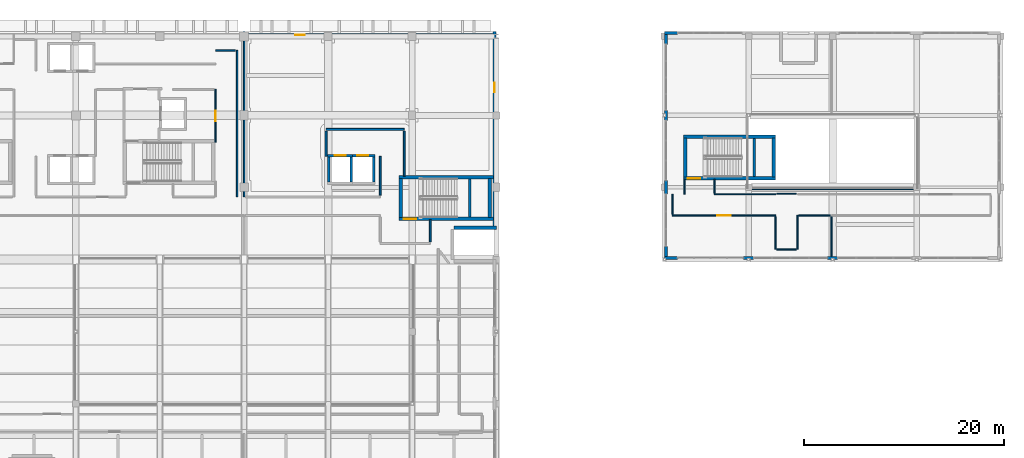
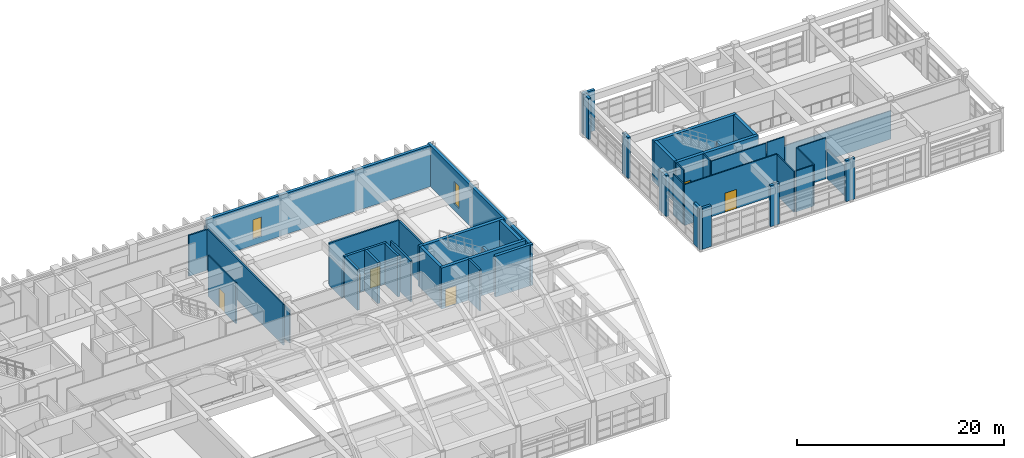
# One storey, part 91 of 103: 47 walls, 6 doors, 2 windows, 8 openings.
"""IFC4 building model written with IfcOpenShell, lengths in metres."""

from ifc_helpers import new_model, si_unit, direction, frame, frame_2d, origin, place, context, subcontext, project, spatial, rectangle, extrude, material, layer, layer_set, type_object, element, fill, save


model = new_model("IFC4")

# Units and contexts
model_context = context("Model", 3, precision=1e-05, world=origin(), true_north=direction((0.0, 1.0)))
body_context = subcontext(model_context, "Body", "Model", "MODEL_VIEW")
ifc_project = project(units=[si_unit("LENGTHUNIT", "METRE"), si_unit("AREAUNIT", "SQUARE_METRE"), si_unit("VOLUMEUNIT", "CUBIC_METRE"), si_unit("PLANEANGLEUNIT", "RADIAN"), si_unit("MASSUNIT", "GRAM", prefix="KILO")], contexts=[model_context])

# Site, building, storey
site_placement = place(None, origin())
site = spatial("IfcSite", under=ifc_project, at=site_placement, CompositionType="ELEMENT")
building_placement = place(site_placement, origin())
building = spatial("IfcBuilding", under=site, at=building_placement, Name="Quendrovan Civic Courthouse", CompositionType="ELEMENT")
storey_placement = place(building_placement, frame((0.0, 0.0, 15.300048828125)))
storey = spatial("IfcBuildingStorey", under=building, at=storey_placement, Name="L04", CompositionType="ELEMENT", Elevation=15.300048828125)

# Wall, opening, door
ifc_material_1 = material(Name="Acoustic gypsum stud partition")
ifc_layer_1 = layer(ifc_material_1, 0.139892578125, Name="Acoustic gypsum stud partition")
ifc_layer_set_1 = layer_set([ifc_layer_1], Name="Acoustic gypsum stud partition")
wall_type_1 = type_object("IfcWallType", Name="WL-CHM-140", PredefinedType="PARTITIONING", material=ifc_layer_set_1)
wall_1_placement = place(storey_placement, frame((64.35009765625, 104.60009765625, 0.0), z_axis=(0.0, 0.0, 1.0), x_axis=(0.0, -1.0, 0.0)))
wall_1 = element("IfcWall", 1, at=wall_1_placement, inside=storey, type_object=wall_type_1, Name="L04 Senior Judges' Chambers Suite Partition 0573", PredefinedType="PARTITIONING", context=body_context, shape_type="SweptSolid", body=[
    extrude(rectangle(XDim=5.300048828125, YDim=0.139892578125, at=frame_2d((2.64990234375, 0.0))), origin(), (0.0, 0.0, 1.0), 4.820068359375),
])
opening_1_placement = place(wall_1_placement, frame((2.1298828125, 0.0, 0.0)))
opening_1 = element("IfcOpeningElement", 2, at=opening_1_placement, cuts=wall_1, Name="Opening D-L04-087", PredefinedType="OPENING", context=body_context, shape_type="SweptSolid", body=[
    extrude(rectangle(XDim=1.0400390625, YDim=2.260009765625, at=frame_2d((0.52001953125, 1.1298828125))), frame((0.0, 0.080078125, 0.0), z_axis=(0.0, -1.0, 0.0), x_axis=(1.0, 0.0, 0.0)), (0.0, 0.0, 1.0), 0.159912109375),
])
ifc_material_2 = material(Name="Solid Western Red Cedar timber door", Category="wood")
door_type_1 = type_object("IfcDoorType", Name="DR-CHM-1040", OperationType="NOTDEFINED", PredefinedType="DOOR", material=ifc_material_2)
door_1_placement = place(opening_1_placement, origin())
door_1 = element("IfcDoor", 3, at=door_1_placement, inside=storey, type_object=door_type_1, Name="L04 Senior Judges' Chambers Suite Door D-L04-087", OperationType="SINGLE_SWING_RIGHT", OverallHeight=2.260009765625, OverallWidth=1.0400390625, PredefinedType="DOOR", context=body_context, shape_type="SweptSolid", body=[
    extrude(rectangle(XDim=1.0400390625, YDim=2.260009765625, at=frame_2d((0.52001953125, 1.1298828125))), frame((0.0, 0.02490234375, 0.0), z_axis=(0.0, -1.0, 0.0), x_axis=(1.0, 0.0, 0.0)), (0.0, 0.0, 1.0), 0.050048828125),
])
fill(opening_1, door_1)

ifc_material_3 = material(Name="Concrete C45/55", Category="concrete")
ifc_layer_2 = layer(ifc_material_3, 0.35009765625, Name="Concrete C45/55")
ifc_layer_set_2 = layer_set([ifc_layer_2], Name="Concrete C45/55")
wall_type_2 = type_object("IfcWallType", Name="WL-CORE-350", PredefinedType="SHEAR", material=ifc_layer_set_2)
wall_2_placement = place(storey_placement, frame((82.68994140625, 91.6650390625, 0.0), z_axis=(0.0, 0.0, 1.0), x_axis=(1.0, 0.0, 0.0)))
wall_2 = element("IfcWall", 4, at=wall_2_placement, inside=storey, type_object=wall_type_2, Name="L04 Core Shear Wall ST3-S", PredefinedType="SHEAR", context=body_context, shape_type="SweptSolid", body=[
    extrude(rectangle(XDim=9.41015625, YDim=0.35009765625, at=frame_2d((4.705078125, 0.0))), origin(), (0.0, 0.0, 1.0), 4.820068359375),
])
opening_2_placement = place(wall_2_placement, frame((0.449951171875, 0.0, 0.0)))
opening_2 = element("IfcOpeningElement", 5, at=opening_2_placement, cuts=wall_2, Name="Opening DS-ST3-L04", PredefinedType="OPENING", context=body_context, shape_type="SweptSolid", body=[
    extrude(rectangle(XDim=1.25, YDim=2.199951171875, at=frame_2d((0.625, 1.10009765625))), frame((0.0, 0.18505859375, 0.0), z_axis=(0.0, -1.0, 0.0), x_axis=(1.0, 0.0, 0.0)), (0.0, 0.0, 1.0), 0.3701171875),
])
ifc_material_4 = material(Name="Painted galvanized hollow-metal steel", Category="steel")
door_type_2 = type_object("IfcDoorType", Name="DR-STAIR-1250", OperationType="NOTDEFINED", PredefinedType="DOOR", material=ifc_material_4)
door_2_placement = place(opening_2_placement, origin())
door_2 = element("IfcDoor", 6, at=door_2_placement, inside=storey, type_object=door_type_2, Name="L04 Exit Stair ST3 Fire Door", OperationType="SINGLE_SWING_RIGHT", OverallHeight=2.199951171875, OverallWidth=1.25, PredefinedType="DOOR", context=body_context, shape_type="SweptSolid", body=[
    extrude(rectangle(XDim=1.25, YDim=2.199951171875, at=frame_2d((0.625, 1.10009765625))), frame((0.0, 0.02490234375, 0.0), z_axis=(0.0, -1.0, 0.0), x_axis=(1.0, 0.0, 0.0)), (0.0, 0.0, 1.0), 0.050048828125),
])
fill(opening_2, door_2)

# Walls
wall_3_placement = place(storey_placement, frame((92.10009765625, 95.8349609375, 0.0), z_axis=(0.0, 0.0, 1.0), x_axis=(-1.0, 0.0, 0.0)))
element("IfcWall", 7, at=wall_3_placement, inside=storey, type_object=wall_type_2, Name="L04 Core Shear Wall ST3-N", PredefinedType="SHEAR", context=body_context, shape_type="SweptSolid", body=[
    extrude(rectangle(XDim=9.41015625, YDim=0.35009765625, at=frame_2d((4.705078125, 0.0))), origin(), (0.0, 0.0, 1.0), 4.820068359375),
])
for number, where, z_axis, x_axis, name in (
    (8, (82.864990234375, 91.800048828125, 0.0), (0.0, 0.0, 1.0), (0.0, 1.0, 0.0), "L04 Core Shear Wall ST3-W"),
    (9, (91.735107421875, 95.699951171875, 0.0), (0.0, 0.0, 1.0), (0.0, -1.0, 0.0), "L04 Core Shear Wall ST3-E"),
):
    element("IfcWall", number, at=place(storey_placement, frame(where, z_axis=z_axis, x_axis=x_axis)), inside=storey, type_object=wall_type_2, Name=name, PredefinedType="SHEAR", context=body_context, shape_type="SweptSolid", body=[
        extrude(rectangle(XDim=3.89990234375, YDim=0.35009765625, at=frame_2d((1.949951171875, 0.0))), origin(), (0.0, 0.0, 1.0), 4.820068359375),
    ])

# Wall, opening, door
wall_4_placement = place(storey_placement, frame((111.090087890625, 95.715087890625, 0.0), z_axis=(0.0, 0.0, 1.0), x_axis=(1.0, 0.0, 0.0)))
wall_4 = element("IfcWall", 10, at=wall_4_placement, inside=storey, type_object=wall_type_2, Name="L04 Core Shear Wall ST6-S", PredefinedType="SHEAR", context=body_context, shape_type="SweptSolid", body=[
    extrude(rectangle(XDim=9.219970703125, YDim=0.35009765625, at=frame_2d((4.60986328125, 0.0))), origin(), (0.0, 0.0, 1.0), 4.820068359375),
])
opening_3_placement = place(wall_4_placement, frame((0.449951171875, 0.0, 0.0)))
opening_3 = element("IfcOpeningElement", 11, at=opening_3_placement, cuts=wall_4, Name="Opening DS-ST6-L04", PredefinedType="OPENING", context=body_context, shape_type="SweptSolid", body=[
    extrude(rectangle(XDim=1.25, YDim=2.199951171875, at=frame_2d((0.625, 1.10009765625))), frame((0.0, 0.18505859375, 0.0), z_axis=(0.0, -1.0, 0.0), x_axis=(1.0, 0.0, 0.0)), (0.0, 0.0, 1.0), 0.3701171875),
])
door_3_placement = place(opening_3_placement, origin())
door_3 = element("IfcDoor", 12, at=door_3_placement, inside=storey, type_object=door_type_2, Name="L04 Exit Stair ST6 Fire Door", OperationType="SINGLE_SWING_RIGHT", OverallHeight=2.199951171875, OverallWidth=1.25, PredefinedType="DOOR", context=body_context, shape_type="SweptSolid", body=[
    extrude(rectangle(XDim=1.25, YDim=2.199951171875, at=frame_2d((0.625, 1.10009765625))), frame((0.0, 0.02490234375, 0.0), z_axis=(0.0, -1.0, 0.0), x_axis=(1.0, 0.0, 0.0)), (0.0, 0.0, 1.0), 0.050048828125),
])
fill(opening_3, door_3)

# Walls
wall_5_placement = place(storey_placement, frame((120.31005859375, 99.885009765625, 0.0), z_axis=(0.0, 0.0, 1.0), x_axis=(-1.0, 0.0, 0.0)))
element("IfcWall", 13, at=wall_5_placement, inside=storey, type_object=wall_type_2, Name="L04 Core Shear Wall ST6-N", PredefinedType="SHEAR", context=body_context, shape_type="SweptSolid", body=[
    extrude(rectangle(XDim=9.219970703125, YDim=0.35009765625, at=frame_2d((4.60986328125, 0.0))), origin(), (0.0, 0.0, 1.0), 4.820068359375),
])
for number, where, z_axis, x_axis, name in (
    (14, (111.264892578125, 95.85009765625, 0.0), (0.0, 0.0, 1.0), (0.0, 1.0, 0.0), "L04 Core Shear Wall ST6-W"),
    (15, (120.135009765625, 99.75, 0.0), (0.0, 0.0, 1.0), (0.0, -1.0, 0.0), "L04 Core Shear Wall ST6-E"),
):
    element("IfcWall", number, at=place(storey_placement, frame(where, z_axis=z_axis, x_axis=x_axis)), inside=storey, type_object=wall_type_2, Name=name, PredefinedType="SHEAR", context=body_context, shape_type="SweptSolid", body=[
        extrude(rectangle(XDim=3.89990234375, YDim=0.35009765625, at=frame_2d((1.949951171875, 0.0))), origin(), (0.0, 0.0, 1.0), 4.820068359375),
    ])
ifc_material_5 = material(Name="Acoustic gypsum and mineral wool partition")
ifc_layer_3 = layer(ifc_material_5, 0.179931640625, Name="Acoustic gypsum and mineral wool partition")
ifc_layer_set_3 = layer_set([ifc_layer_3], Name="Acoustic gypsum and mineral wool partition")
wall_type_3 = type_object("IfcWallType", Name="WL-CRT-AC180", PredefinedType="PARTITIONING", material=ifc_layer_set_3)
wall_6_placement = place(storey_placement, frame((83.199951171875, 100.60009765625, 0.0), z_axis=(0.0, 0.0, 1.0), x_axis=(-1.0, 0.0, 0.0)))
element("IfcWall", 16, at=wall_6_placement, inside=storey, type_object=wall_type_3, Name="L04 Trial Courtroom Partition 0582", PredefinedType="PARTITIONING", context=body_context, shape_type="SweptSolid", body=[
    extrude(rectangle(XDim=7.800048828125, YDim=0.179931640625, at=frame_2d((3.89990234375, 0.0))), origin(), (0.0, 0.0, 1.0), 4.820068359375),
])
wall_7_placement = place(storey_placement, frame((83.199951171875, 95.919921875, 0.0), z_axis=(0.0, 0.0, 1.0), x_axis=(0.0, 1.0, 0.0)))
element("IfcWall", 17, at=wall_7_placement, inside=storey, type_object=wall_type_3, Name="L04 Trial Courtroom Partition 0599", PredefinedType="PARTITIONING", context=body_context, shape_type="SweptSolid", body=[
    extrude(rectangle(XDim=4.510009765625, YDim=0.179931640625, at=frame_2d((2.2548828125, 0.0))), origin(), (0.0, 0.0, 1.0), 4.820068359375),
])
wall_8_placement = place(storey_placement, frame((80.800048828125, 97.89990234375, 0.0), z_axis=(0.0, 0.0, 1.0), x_axis=(0.0, -1.0, 0.0)))
element("IfcWall", 18, at=wall_8_placement, inside=storey, type_object=wall_type_3, Name="L04 Trial Courtroom Partition 0608", PredefinedType="PARTITIONING", context=body_context, shape_type="SweptSolid", body=[
    extrude(rectangle(XDim=3.8798828125, YDim=0.179931640625, at=frame_2d((1.93994140625, 0.0))), origin(), (0.0, 0.0, 1.0), 4.820068359375),
])
wall_9_placement = place(storey_placement, frame((75.39990234375, 100.429931640625, 0.0), z_axis=(0.0, 0.0, 1.0), x_axis=(0.0, -1.0, 0.0)))
element("IfcWall", 19, at=wall_9_placement, inside=storey, type_object=wall_type_3, Name="L04 Trial Courtroom Partition 0630", PredefinedType="PARTITIONING", context=body_context, shape_type="SweptSolid", body=[
    extrude(rectangle(XDim=2.530029296875, YDim=0.179931640625, at=frame_2d((1.26513671875, 0.0))), origin(), (0.0, 0.0, 1.0), 3.449951171875),
])
wall_10_placement = place(storey_placement, frame((85.800048828125, 89.3701171875, 0.0), z_axis=(0.0, 0.0, 1.0), x_axis=(0.0, 1.0, 0.0)))
element("IfcWall", 20, at=wall_10_placement, inside=storey, type_object=wall_type_3, Name="L04 Trial Courtroom Partition 0633", PredefinedType="PARTITIONING", context=body_context, shape_type="SweptSolid", body=[
    extrude(rectangle(XDim=2.2099609375, YDim=0.179931640625, at=frame_2d((1.10498046875, 0.0))), origin(), (0.0, 0.0, 1.0), 4.820068359375),
])
ifc_material_6 = material(Name="Precast concrete C45/55", Category="concrete")
ifc_layer_4 = layer(ifc_material_6, 0.2900390625, Name="Precast concrete C45/55")
ifc_layer_set_4 = layer_set([ifc_layer_4], Name="Precast concrete C45/55")
wall_type_4 = type_object("IfcWallType", Name="WL-EXT-PC290", PredefinedType="SOLIDWALL", material=ifc_layer_set_4)
wall_11_placement = place(storey_placement, frame((109.199951171875, 110.235107421875, 0.0), z_axis=(0.0, 0.0, 1.0), x_axis=(1.0, 0.0, 0.0)))
element("IfcWall", 21, at=wall_11_placement, inside=storey, type_object=wall_type_4, Name="L04 Exterior Pier Wall 390", PredefinedType="SOLIDWALL", context=body_context, shape_type="SweptSolid", body=[
    extrude(rectangle(XDim=1.300048828125, YDim=0.2900390625, at=frame_2d((0.64990234375, 0.0))), origin(), (0.0, 0.0, 1.0), 4.820068359375),
])
for number, where, z_axis, x_axis, name in (
    (22, (126.5, 87.764892578125, 0.0), (0.0, 0.0, 1.0), (-1.0, 0.0, 0.0), "L04 Exterior Pier Wall 404"),
    (23, (118.10009765625, 87.764892578125, 0.0), (0.0, 0.0, 1.0), (-1.0, 0.0, 0.0), "L04 Exterior Pier Wall 405"),
):
    element("IfcWall", number, at=place(storey_placement, frame(where, z_axis=z_axis, x_axis=x_axis)), inside=storey, type_object=wall_type_4, Name=name, PredefinedType="SOLIDWALL", context=body_context, shape_type="SweptSolid", body=[
        extrude(rectangle(XDim=1.0, YDim=0.2900390625, at=frame_2d((0.5, 0.0))), origin(), (0.0, 0.0, 1.0), 4.820068359375),
    ])
wall_12_placement = place(storey_placement, frame((110.5, 87.764892578125, 0.0), z_axis=(0.0, 0.0, 1.0), x_axis=(-1.0, 0.0, 0.0)))
element("IfcWall", 24, at=wall_12_placement, inside=storey, type_object=wall_type_4, Name="L04 Exterior Pier Wall 406", PredefinedType="SOLIDWALL", context=body_context, shape_type="SweptSolid", body=[
    extrude(rectangle(XDim=1.300048828125, YDim=0.2900390625, at=frame_2d((0.64990234375, 0.0))), origin(), (0.0, 0.0, 1.0), 4.820068359375),
])
wall_13_placement = place(storey_placement, frame((109.364990234375, 87.60009765625, 0.0), z_axis=(0.0, 0.0, 1.0), x_axis=(0.0, 1.0, 0.0)))
element("IfcWall", 25, at=wall_13_placement, inside=storey, type_object=wall_type_4, Name="L04 Exterior Pier Wall 407", PredefinedType="SOLIDWALL", context=body_context, shape_type="SweptSolid", body=[
    extrude(rectangle(XDim=1.2998046875, YDim=0.2900390625, at=frame_2d((0.64990234375, 0.0))), origin(), (0.0, 0.0, 1.0), 4.820068359375),
])
wall_14_placement = place(storey_placement, frame((109.364990234375, 94.125, 0.0), z_axis=(0.0, 0.0, 1.0), x_axis=(0.0, 1.0, 0.0)))
element("IfcWall", 26, at=wall_14_placement, inside=storey, type_object=wall_type_4, Name="L04 Exterior Pier Wall 408", PredefinedType="SOLIDWALL", context=body_context, shape_type="SweptSolid", body=[
    extrude(rectangle(XDim=1.35009765625, YDim=0.2900390625, at=frame_2d((0.675048828125, 0.0))), origin(), (0.0, 0.0, 1.0), 4.820068359375),
])
wall_15_placement = place(storey_placement, frame((109.364990234375, 101.5, 0.0), z_axis=(0.0, 0.0, 1.0), x_axis=(0.0, 1.0, 0.0)))
element("IfcWall", 27, at=wall_15_placement, inside=storey, type_object=wall_type_4, Name="L04 Exterior Pier Wall 409", PredefinedType="SOLIDWALL", context=body_context, shape_type="SweptSolid", body=[
    extrude(rectangle(XDim=1.0, YDim=0.2900390625, at=frame_2d((0.5, 0.0))), origin(), (0.0, 0.0, 1.0), 4.820068359375),
])
wall_16_placement = place(storey_placement, frame((109.364990234375, 109.10009765625, 0.0), z_axis=(0.0, 0.0, 1.0), x_axis=(0.0, 1.0, 0.0)))
element("IfcWall", 28, at=wall_16_placement, inside=storey, type_object=wall_type_4, Name="L04 Exterior Pier Wall 410", PredefinedType="SOLIDWALL", context=body_context, shape_type="SweptSolid", body=[
    extrude(rectangle(XDim=1.2998046875, YDim=0.2900390625, at=frame_2d((0.64990234375, 0.0))), origin(), (0.0, 0.0, 1.0), 4.820068359375),
])

# Wall, opening, window
ifc_layer_5 = layer(ifc_material_6, 0.320068359375, Name="Precast concrete C45/55")
ifc_layer_set_5 = layer_set([ifc_layer_5], Name="Precast concrete C45/55")
wall_type_5 = type_object("IfcWallType", Name="WL-EXT-PC320", PredefinedType="SOLIDWALL", material=ifc_layer_set_5)
wall_17_placement = place(storey_placement, frame((67.199951171875, 110.02001953125, 0.0), z_axis=(0.0, 0.0, 1.0), x_axis=(1.0, 0.0, 0.0)))
wall_17 = element("IfcWall", 29, at=wall_17_placement, inside=storey, type_object=wall_type_5, Name="L04 Exterior Precast Concrete Wall 364", PredefinedType="SOLIDWALL", context=body_context, shape_type="SweptSolid", body=[
    extrude(rectangle(XDim=25.199951171875, YDim=0.320068359375, at=frame_2d((12.60009765625, 0.0))), origin(), (0.0, 0.0, 1.0), 4.820068359375),
])
opening_4_placement = place(wall_17_placement, frame((5.1201171875, 0.0, 0.75)))
opening_4 = element("IfcOpeningElement", 30, at=opening_4_placement, cuts=wall_17, Name="Opening W12", PredefinedType="OPENING", context=body_context, shape_type="SweptSolid", body=[
    extrude(rectangle(XDim=0.9599609375, YDim=2.25, at=frame_2d((0.47998046875, 1.125))), frame((0.0, 0.169921875, 0.0), z_axis=(0.0, -1.0, 0.0), x_axis=(1.0, 0.0, 0.0)), (0.0, 0.0, 1.0), 0.340087890625),
])
ifc_material_7 = material(Name="Laminated hurricane-impact low-E glass", Category="glass")
window_type_1 = type_object("IfcWindowType", Name="WIN-SLT-12", PartitioningType="SINGLE_PANEL", PredefinedType="WINDOW", material=ifc_material_7)
window_1_placement = place(opening_4_placement, origin())
window_1 = element("IfcWindow", 31, at=window_1_placement, inside=storey, type_object=window_type_1, Name="L04 Courtroom Shaded Slot Window 0026", OverallHeight=2.25, OverallWidth=0.9599609375, PartitioningType="SINGLE_PANEL", PredefinedType="WINDOW", context=body_context, shape_type="SweptSolid", body=[
    extrude(rectangle(XDim=0.9599609375, YDim=2.25, at=frame_2d((0.47998046875, 1.125))), frame((0.0, 0.030029296875, 0.0), z_axis=(0.0, -1.0, 0.0), x_axis=(1.0, 0.0, 0.0)), (0.0, 0.0, 1.0), 0.06005859375),
])
fill(opening_4, window_1)

wall_18_placement = place(storey_placement, frame((92.219970703125, 110.39990234375, 0.0), z_axis=(0.0, 0.0, 1.0), x_axis=(0.0, -1.0, 0.0)))
wall_18 = element("IfcWall", 32, at=wall_18_placement, inside=storey, type_object=wall_type_5, Name="L04 Exterior Precast Concrete Wall 365", PredefinedType="SOLIDWALL", context=body_context, shape_type="SweptSolid", body=[
    extrude(rectangle(XDim=19.7998046875, YDim=0.320068359375, at=frame_2d((9.89990234375, 0.0))), origin(), (0.0, 0.0, 1.0), 4.820068359375),
])
opening_5_placement = place(wall_18_placement, frame((5.1201171875, 0.0, 0.75)))
opening_5 = element("IfcOpeningElement", 33, at=opening_5_placement, cuts=wall_18, Name="Opening W13", PredefinedType="OPENING", context=body_context, shape_type="SweptSolid", body=[
    extrude(rectangle(XDim=0.9599609375, YDim=2.64990234375, at=frame_2d((0.47998046875, 1.324951171875))), frame((0.0, 0.169921875, 0.0), z_axis=(0.0, -1.0, 0.0), x_axis=(1.0, 0.0, 0.0)), (0.0, 0.0, 1.0), 0.340087890625),
])
window_type_2 = type_object("IfcWindowType", Name="WIN-SLT-13", PartitioningType="SINGLE_PANEL", PredefinedType="WINDOW", material=ifc_material_7)
window_2_placement = place(opening_5_placement, origin())
window_2 = element("IfcWindow", 34, at=window_2_placement, inside=storey, type_object=window_type_2, Name="L04 Courtroom Shaded Slot Window 0027", OverallHeight=2.64990234375, OverallWidth=0.9599609375, PartitioningType="SINGLE_PANEL", PredefinedType="WINDOW", context=body_context, shape_type="SweptSolid", body=[
    extrude(rectangle(XDim=0.9599609375, YDim=2.64990234375, at=frame_2d((0.47998046875, 1.324951171875))), frame((0.0, 0.030029296875, 0.0), z_axis=(0.0, -1.0, 0.0), x_axis=(1.0, 0.0, 0.0)), (0.0, 0.0, 1.0), 0.06005859375),
])
fill(opening_5, window_2)

# Walls
wall_19_placement = place(storey_placement, frame((92.39990234375, 90.780029296875, 0.0), z_axis=(0.0, 0.0, 1.0), x_axis=(-1.0, 0.0, 0.0)))
element("IfcWall", 35, at=wall_19_placement, inside=storey, type_object=wall_type_5, Name="L04 Exterior Precast Concrete Wall 366", PredefinedType="SOLIDWALL", context=body_context, shape_type="SweptSolid", body=[
    extrude(rectangle(XDim=4.199951171875, YDim=0.320068359375, at=frame_2d((2.10009765625, 0.0))), origin(), (0.0, 0.0, 1.0), 4.820068359375),
])
ifc_layer_6 = layer(ifc_material_1, 0.14990234375, Name="Acoustic gypsum stud partition")
ifc_layer_set_6 = layer_set([ifc_layer_6], Name="Acoustic gypsum stud partition")
wall_type_6 = type_object("IfcWallType", Name="WL-JURY-150", PredefinedType="PARTITIONING", material=ifc_layer_set_6)
wall_20_placement = place(storey_placement, frame((67.199951171875, 110.340087890625, 0.0), z_axis=(0.0, 0.0, 1.0), x_axis=(0.0, -1.0, 0.0)))
element("IfcWall", 36, at=wall_20_placement, inside=storey, type_object=wall_type_6, Name="L04 Jury Room Partition 0562", PredefinedType="PARTITIONING", context=body_context, shape_type="SweptSolid", body=[
    extrude(rectangle(XDim=16.489990234375, YDim=0.14990234375, at=frame_2d((8.2451171875, 0.0))), origin(), (0.0, 0.0, 1.0), 3.849853515625),
])
wall_21_placement = place(storey_placement, frame((66.5, 93.85009765625, 0.0), z_axis=(0.0, 0.0, 1.0), x_axis=(0.0, 1.0, 0.0)))
element("IfcWall", 37, at=wall_21_placement, inside=storey, type_object=wall_type_6, Name="L04 Jury Room Partition 0565", PredefinedType="PARTITIONING", context=body_context, shape_type="SweptSolid", body=[
    extrude(rectangle(XDim=14.64990234375, YDim=0.14990234375, at=frame_2d((7.324951171875, 0.0))), origin(), (0.0, 0.0, 1.0), 4.820068359375),
])
wall_22_placement = place(storey_placement, frame((66.344970703125, 108.5, 0.0), z_axis=(0.0, 0.0, 1.0), x_axis=(-1.0, 0.0, 0.0)))
element("IfcWall", 38, at=wall_22_placement, inside=storey, type_object=wall_type_6, Name="L04 Jury Room Partition 0640", PredefinedType="PARTITIONING", context=body_context, shape_type="SweptSolid", body=[
    extrude(rectangle(XDim=1.994873046875, YDim=0.14990234375, at=frame_2d((0.99755859375, 0.0))), origin(), (0.0, 0.0, 1.0), 4.820068359375),
])

# Wall, opening, door
ifc_material_8 = material(Name="Acoustic glazed-head stud partition")
ifc_layer_7 = layer(ifc_material_8, 0.1201171875, Name="Acoustic glazed-head stud partition")
ifc_layer_set_7 = layer_set([ifc_layer_7], Name="Acoustic glazed-head stud partition")
wall_type_7 = type_object("IfcWallType", Name="WL-LIB-120", PredefinedType="PARTITIONING", material=ifc_layer_set_7)
wall_23_placement = place(storey_placement, frame((110.0, 92.0, 0.0), z_axis=(0.0, 0.0, 1.0), x_axis=(1.0, 0.0, 0.0)))
wall_23 = element("IfcWall", 39, at=wall_23_placement, inside=storey, type_object=wall_type_7, Name="L04 Compact Archive Partition 0576", PredefinedType="PARTITIONING", context=body_context, shape_type="SweptSolid", body=[
    extrude(rectangle(XDim=10.300048828125, YDim=0.1201171875, at=frame_2d((5.14990234375, 0.0))), origin(), (0.0, 0.0, 1.0), 4.820068359375),
])
opening_6_placement = place(wall_23_placement, frame((4.489990234375, 0.0, 0.0)))
opening_6 = element("IfcOpeningElement", 40, at=opening_6_placement, cuts=wall_23, Name="Opening D-L04-084", PredefinedType="OPENING", context=body_context, shape_type="SweptSolid", body=[
    extrude(rectangle(XDim=1.320068359375, YDim=2.239990234375, at=frame_2d((0.66015625, 1.1201171875))), frame((0.0, 0.070068359375, 0.0), z_axis=(0.0, -1.0, 0.0), x_axis=(1.0, 0.0, 0.0)), (0.0, 0.0, 1.0), 0.14013671875),
])
ifc_material_9 = material(Name="Painted fire-rated steel archive door", Category="steel")
door_type_3 = type_object("IfcDoorType", Name="DR-ARC-1320", OperationType="NOTDEFINED", PredefinedType="DOOR", material=ifc_material_9)
door_4_placement = place(opening_6_placement, origin())
door_4 = element("IfcDoor", 41, at=door_4_placement, inside=storey, type_object=door_type_3, Name="L04 Compact Archive Door D-L04-084", OperationType="SINGLE_SWING_LEFT", OverallHeight=2.239990234375, OverallWidth=1.320068359375, PredefinedType="DOOR", context=body_context, shape_type="SweptSolid", body=[
    extrude(rectangle(XDim=1.320068359375, YDim=2.239990234375, at=frame_2d((0.66015625, 1.1201171875))), frame((0.0, 0.02490234375, 0.0), z_axis=(0.0, -1.0, 0.0), x_axis=(1.0, 0.0, 0.0)), (0.0, 0.0, 1.0), 0.050048828125),
])
fill(opening_6, door_4)

# Walls
wall_24_placement = place(storey_placement, frame((125.89990234375, 91.864990234375, 0.0), z_axis=(0.0, 0.0, 1.0), x_axis=(0.0, -1.0, 0.0)))
element("IfcWall", 42, at=wall_24_placement, inside=storey, type_object=wall_type_7, Name="L04 Compact Archive Partition 0603", PredefinedType="PARTITIONING", context=body_context, shape_type="SweptSolid", body=[
    extrude(rectangle(XDim=4.205078125, YDim=0.1201171875, at=frame_2d((2.1025390625, 0.0))), origin(), (0.0, 0.0, 1.0), 3.449951171875),
])
wall_25_placement = place(storey_placement, frame((120.300048828125, 91.860107421875, 0.0), z_axis=(0.0, 0.0, 1.0), x_axis=(0.0, -1.0, 0.0)))
element("IfcWall", 43, at=wall_25_placement, inside=storey, type_object=wall_type_7, Name="L04 Compact Archive Partition 0616", PredefinedType="PARTITIONING", context=body_context, shape_type="SweptSolid", body=[
    extrude(rectangle(XDim=3.260009765625, YDim=0.1201171875, at=frame_2d((1.6298828125, 0.0))), origin(), (0.0, 0.0, 1.0), 4.820068359375),
])
wall_26_placement = place(storey_placement, frame((122.5, 88.60009765625, 0.0), z_axis=(0.0, 0.0, 1.0), x_axis=(0.0, 1.0, 0.0)))
element("IfcWall", 44, at=wall_26_placement, inside=storey, type_object=wall_type_7, Name="L04 Compact Archive Partition 0617", PredefinedType="PARTITIONING", context=body_context, shape_type="SweptSolid", body=[
    extrude(rectangle(XDim=3.39990234375, YDim=0.1201171875, at=frame_2d((1.699951171875, 0.0))), origin(), (0.0, 0.0, 1.0), 4.820068359375),
])
wall_27_placement = place(storey_placement, frame((122.639892578125, 92.0, 0.0), z_axis=(0.0, 0.0, 1.0), x_axis=(1.0, 0.0, 0.0)))
element("IfcWall", 45, at=wall_27_placement, inside=storey, type_object=wall_type_7, Name="L04 Compact Archive Partition 0618", PredefinedType="PARTITIONING", context=body_context, shape_type="SweptSolid", body=[
    extrude(rectangle(XDim=3.125, YDim=0.1201171875, at=frame_2d((1.5625, 0.0))), origin(), (0.0, 0.0, 1.0), 4.820068359375),
])
wall_28_placement = place(storey_placement, frame((120.43994140625, 88.60009765625, 0.0), z_axis=(0.0, 0.0, 1.0), x_axis=(1.0, 0.0, 0.0)))
element("IfcWall", 46, at=wall_28_placement, inside=storey, type_object=wall_type_7, Name="L04 Compact Archive Partition 0637", PredefinedType="PARTITIONING", context=body_context, shape_type="SweptSolid", body=[
    extrude(rectangle(XDim=1.920166015625, YDim=0.1201171875, at=frame_2d((0.9599609375, 0.0))), origin(), (0.0, 0.0, 1.0), 4.820068359375),
])
wall_29_placement = place(storey_placement, frame((110.0, 94.10009765625, 0.0), z_axis=(0.0, 0.0, 1.0), x_axis=(0.0, -1.0, 0.0)))
element("IfcWall", 47, at=wall_29_placement, inside=storey, type_object=wall_type_7, Name="L04 Compact Archive Partition 0644", PredefinedType="PARTITIONING", context=body_context, shape_type="SweptSolid", body=[
    extrude(rectangle(XDim=1.960205078125, YDim=0.1201171875, at=frame_2d((0.97998046875, 0.0))), origin(), (0.0, 0.0, 1.0), 4.820068359375),
])
wall_30_placement = place(storey_placement, frame((111.199951171875, 95.6298828125, 0.0), z_axis=(0.0, 0.0, 1.0), x_axis=(0.0, -1.0, 0.0)))
element("IfcWall", 48, at=wall_30_placement, inside=storey, type_object=wall_type_7, Name="L04 Compact Archive Partition 0653", PredefinedType="PARTITIONING", context=body_context, shape_type="SweptSolid", body=[
    extrude(rectangle(XDim=1.52978515625, YDim=0.1201171875, at=frame_2d((0.764892578125, 0.0))), origin(), (0.0, 0.0, 1.0), 4.820068359375),
])
ifc_layer_8 = layer(ifc_material_3, 0.25, Name="Concrete C45/55")
ifc_layer_set_8 = layer_set([ifc_layer_8], Name="Concrete C45/55")
wall_type_8 = type_object("IfcWallType", Name="WL-SHAFT-250", PredefinedType="SHEAR", material=ifc_layer_set_8)
wall_31_placement = place(storey_placement, frame((89.75, 91.85009765625, 0.0), z_axis=(0.0, 0.0, 1.0), x_axis=(0.0, 1.0, 0.0)))
element("IfcWall", 49, at=wall_31_placement, inside=storey, type_object=wall_type_8, Name="L04 Stair ST3 Mid-Landing Bearing Wall", PredefinedType="SHEAR", context=body_context, shape_type="SweptSolid", body=[
    extrude(rectangle(XDim=3.7998046875, YDim=0.25, at=frame_2d((1.89990234375, 0.0))), origin(), (0.0, 0.0, 1.0), 2.369873046875),
])
wall_32_placement = place(storey_placement, frame((118.14990234375, 95.89990234375, 0.0), z_axis=(0.0, 0.0, 1.0), x_axis=(0.0, 1.0, 0.0)))
element("IfcWall", 50, at=wall_32_placement, inside=storey, type_object=wall_type_8, Name="L04 Stair ST6 Mid-Landing Bearing Wall", PredefinedType="SHEAR", context=body_context, shape_type="SweptSolid", body=[
    extrude(rectangle(XDim=3.800048828125, YDim=0.25, at=frame_2d((1.89990234375, 0.0))), origin(), (0.0, 0.0, 1.0), 2.369873046875),
])

# Wall, opening, door
wall_33_placement = place(storey_placement, frame((78.050048828125, 97.97509765625, 0.0), z_axis=(0.0, 0.0, 1.0), x_axis=(-1.0, 0.0, 0.0)))
wall_33 = element("IfcWall", 51, at=wall_33_placement, inside=storey, type_object=wall_type_8, Name="L04 Lift Hoistway Wall PL1 +Y", PredefinedType="SHEAR", context=body_context, shape_type="SweptSolid", body=[
    extrude(rectangle(XDim=2.5, YDim=0.25, at=frame_2d((1.25, 0.0))), origin(), (0.0, 0.0, 1.0), 4.820068359375),
])
opening_7_placement = place(wall_33_placement, frame((0.699951171875, 0.0, 0.0)))
opening_7 = element("IfcOpeningElement", 52, at=opening_7_placement, cuts=wall_33, Name="Opening LD-PL1-L04", PredefinedType="OPENING", context=body_context, shape_type="SweptSolid", body=[
    extrude(rectangle(XDim=1.10009765625, YDim=2.199951171875, at=frame_2d((0.550048828125, 1.10009765625))), frame((0.0, 0.135009765625, 0.0), z_axis=(0.0, -1.0, 0.0), x_axis=(1.0, 0.0, 0.0)), (0.0, 0.0, 1.0), 0.27001953125),
])
ifc_material_10 = material(Name="Brushed bronze-anodised stainless steel", Category="steel")
door_type_4 = type_object("IfcDoorType", Name="DR-LIFT-LD-PL", OperationType="NOTDEFINED", PredefinedType="DOOR", material=ifc_material_10)
door_5_placement = place(opening_7_placement, origin())
door_5 = element("IfcDoor", 53, at=door_5_placement, inside=storey, type_object=door_type_4, Name="L04 Lift PL1 Sliding Landing Door", OperationType="SLIDING_TO_LEFT", OverallHeight=2.199951171875, OverallWidth=1.10009765625, PredefinedType="DOOR", context=body_context, shape_type="SweptSolid", body=[
    extrude(rectangle(XDim=1.10009765625, YDim=2.199951171875, at=frame_2d((0.550048828125, 1.10009765625))), frame((0.0, 0.02490234375, 0.0), z_axis=(0.0, -1.0, 0.0), x_axis=(1.0, 0.0, 0.0)), (0.0, 0.0, 1.0), 0.050048828125),
])
fill(opening_7, door_5)

# Walls
for number, where, z_axis, x_axis, name in (
    (54, (75.675048828125, 95.35009765625, 0.0), (0.0, 0.0, 1.0), (0.0, 1.0, 0.0), "L04 Lift Hoistway Wall PL1 -X"),
    (55, (77.925048828125, 97.85009765625, 0.0), (0.0, 0.0, 1.0), (0.0, -1.0, 0.0), "L04 Lift Hoistway Wall PL1 +X"),
):
    element("IfcWall", number, at=place(storey_placement, frame(where, z_axis=z_axis, x_axis=x_axis)), inside=storey, type_object=wall_type_8, Name=name, PredefinedType="SHEAR", context=body_context, shape_type="SweptSolid", body=[
        extrude(rectangle(XDim=2.5, YDim=0.25, at=frame_2d((1.25, 0.0))), origin(), (0.0, 0.0, 1.0), 4.820068359375),
    ])

# Wall, opening, door
wall_34_placement = place(storey_placement, frame((80.300048828125, 97.97509765625, 0.0), z_axis=(0.0, 0.0, 1.0), x_axis=(-1.0, 0.0, 0.0)))
wall_34 = element("IfcWall", 56, at=wall_34_placement, inside=storey, type_object=wall_type_8, Name="L04 Lift Hoistway Wall PL2 +Y", PredefinedType="SHEAR", context=body_context, shape_type="SweptSolid", body=[
    extrude(rectangle(XDim=2.5, YDim=0.25, at=frame_2d((1.25, 0.0))), origin(), (0.0, 0.0, 1.0), 4.820068359375),
])
opening_8_placement = place(wall_34_placement, frame((0.699951171875, 0.0, 0.0)))
opening_8 = element("IfcOpeningElement", 57, at=opening_8_placement, cuts=wall_34, Name="Opening LD-PL2-L04", PredefinedType="OPENING", context=body_context, shape_type="SweptSolid", body=[
    extrude(rectangle(XDim=1.10009765625, YDim=2.199951171875, at=frame_2d((0.550048828125, 1.10009765625))), frame((0.0, 0.135009765625, 0.0), z_axis=(0.0, -1.0, 0.0), x_axis=(1.0, 0.0, 0.0)), (0.0, 0.0, 1.0), 0.27001953125),
])
door_6_placement = place(opening_8_placement, origin())
door_6 = element("IfcDoor", 58, at=door_6_placement, inside=storey, type_object=door_type_4, Name="L04 Lift PL2 Sliding Landing Door", OperationType="SLIDING_TO_LEFT", OverallHeight=2.199951171875, OverallWidth=1.10009765625, PredefinedType="DOOR", context=body_context, shape_type="SweptSolid", body=[
    extrude(rectangle(XDim=1.10009765625, YDim=2.199951171875, at=frame_2d((0.550048828125, 1.10009765625))), frame((0.0, 0.02490234375, 0.0), z_axis=(0.0, -1.0, 0.0), x_axis=(1.0, 0.0, 0.0)), (0.0, 0.0, 1.0), 0.050048828125),
])
fill(opening_8, door_6)

# Walls
wall_35_placement = place(storey_placement, frame((80.175048828125, 97.85009765625, 0.0), z_axis=(0.0, 0.0, 1.0), x_axis=(0.0, -1.0, 0.0)))
element("IfcWall", 59, at=wall_35_placement, inside=storey, type_object=wall_type_8, Name="L04 Lift Hoistway Wall PL2 +X", PredefinedType="SHEAR", context=body_context, shape_type="SweptSolid", body=[
    extrude(rectangle(XDim=2.5, YDim=0.25, at=frame_2d((1.25, 0.0))), origin(), (0.0, 0.0, 1.0), 4.820068359375),
])
ifc_material_11 = material(Name="Moisture-resistant tile-backer partition")
ifc_layer_9 = layer(ifc_material_11, 0.110107421875, Name="Moisture-resistant tile-backer partition")
ifc_layer_set_9 = layer_set([ifc_layer_9], Name="Moisture-resistant tile-backer partition")
wall_type_9 = type_object("IfcWallType", Name="WL-WET-110", PredefinedType="PARTITIONING", material=ifc_layer_set_9)
wall_36_placement = place(storey_placement, frame((117.5, 94.639892578125, 0.0), z_axis=(0.0, 0.0, 1.0), x_axis=(1.0, 0.0, 0.0)))
element("IfcWall", 60, at=wall_36_placement, inside=storey, type_object=wall_type_9, Name="L04 Ceremonial Judicial Deliberation Suite Partition 0560", PredefinedType="PARTITIONING", context=body_context, shape_type="SweptSolid", body=[
    extrude(rectangle(XDim=17.0, YDim=0.110107421875, at=frame_2d((8.5, 0.0))), origin(), (0.0, 0.0, 1.0), 3.349853515625),
])
wall_37_placement = place(storey_placement, frame((120.300048828125, 94.10009765625, 0.0), z_axis=(0.0, 0.0, 1.0), x_axis=(-1.0, 0.0, 0.0)))
element("IfcWall", 61, at=wall_37_placement, inside=storey, type_object=wall_type_9, Name="L04 Ceremonial Judicial Deliberation Suite Partition 0589", PredefinedType="PARTITIONING", context=body_context, shape_type="SweptSolid", body=[
    extrude(rectangle(XDim=6.10009765625, YDim=0.110107421875, at=frame_2d((3.050048828125, 0.0))), origin(), (0.0, 0.0, 1.0), 4.820068359375),
])
wall_38_placement = place(storey_placement, frame((122.374755859375, 94.14990234375, 0.0), z_axis=(0.0, 0.0, 1.0), x_axis=(-1.0, 0.0, 0.0)))
element("IfcWall", 62, at=wall_38_placement, inside=storey, type_object=wall_type_9, Name="L04 Ceremonial Judicial Deliberation Suite Partition 0638", PredefinedType="PARTITIONING", context=body_context, shape_type="SweptSolid", body=[
    extrude(rectangle(XDim=1.949462890625, YDim=0.110107421875, at=frame_2d((0.974609375, 0.0))), origin(), (0.0, 0.0, 1.0), 4.820068359375),
])
wall_39_placement = place(storey_placement, frame((114.199951171875, 94.235107421875, 0.0), z_axis=(0.0, 0.0, 1.0), x_axis=(0.0, 1.0, 0.0)))
element("IfcWall", 63, at=wall_39_placement, inside=storey, type_object=wall_type_9, Name="L04 Ceremonial Judicial Deliberation Suite Partition 0654", PredefinedType="PARTITIONING", context=body_context, shape_type="SweptSolid", body=[
    extrude(rectangle(XDim=1.394775390625, YDim=0.110107421875, at=frame_2d((0.697265625, 0.0))), origin(), (0.0, 0.0, 1.0), 4.820068359375),
])

save(model, "model.ifc")
